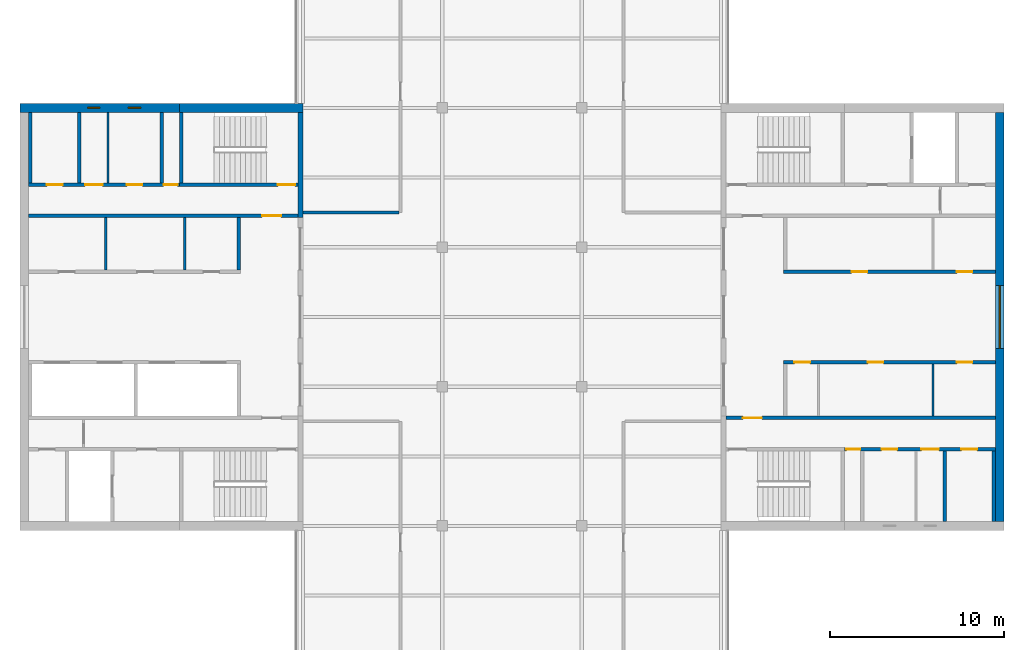
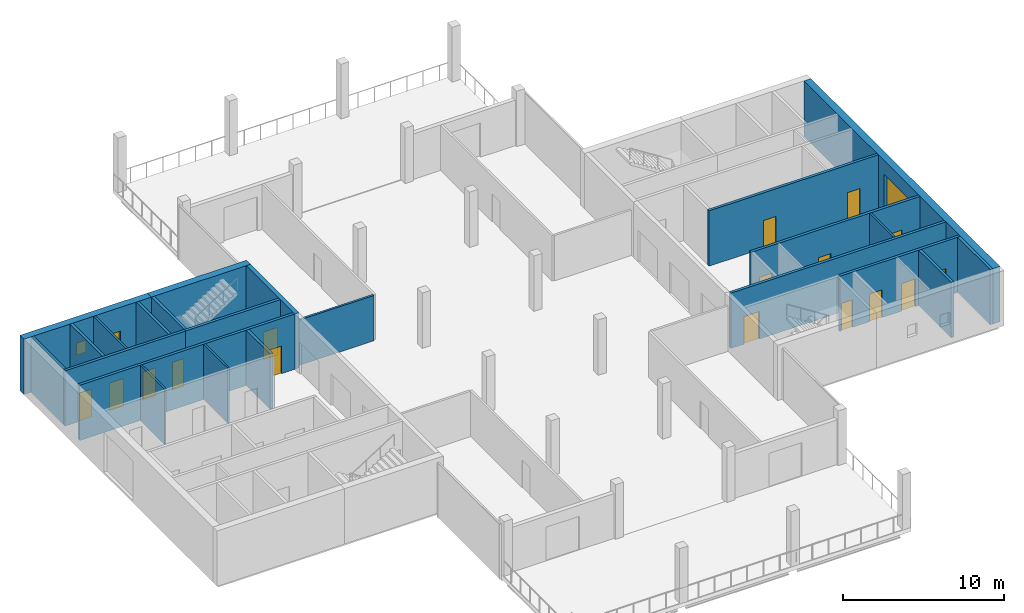
# One storey, part 9 of 12: 23 walls, 16 doors, 3 windows, 19 openings.
"""IFC4 building model written with IfcOpenShell, lengths in metres."""

from ifc_helpers import new_model, si_unit, direction, frame, frame_2d, origin, place, context, subcontext, project, spatial, rectangle, extrude, material, layer, layer_set, constituent, constituent_set, type_object, element, fill, save


model = new_model("IFC4")

# Units and contexts
model_context = context("Model", 3, precision=1e-05, world=origin(), true_north=direction((0.0, 1.0)))
body_context = subcontext(model_context, "Body", "Model", "MODEL_VIEW")
ifc_project = project(units=[si_unit("LENGTHUNIT", "METRE"), si_unit("AREAUNIT", "SQUARE_METRE"), si_unit("VOLUMEUNIT", "CUBIC_METRE"), si_unit("PLANEANGLEUNIT", "RADIAN"), si_unit("MASSUNIT", "GRAM", prefix="KILO")], contexts=[model_context])

# Site, building, storey
site_placement = place(None, origin())
site = spatial("IfcSite", under=ifc_project, at=site_placement, CompositionType="ELEMENT")
building_placement = place(site_placement, origin())
building = spatial("IfcBuilding", under=site, at=building_placement, Name="Crosswind Convention Tower", CompositionType="ELEMENT")
storey_placement = place(building_placement, frame((0.0, 0.0, 332.300048828125)))
storey = spatial("IfcBuildingStorey", under=building, at=storey_placement, Name="L72", CompositionType="ELEMENT", Elevation=332.300048828125)

# Walls
ifc_material_1 = material(Name="Concrete blockwork", Category="masonry")
ifc_layer_1 = layer(ifc_material_1, 0.199951171875)
ifc_layer_set_1 = layer_set([ifc_layer_1], Name="Blockwork partition wall 200")
wall_type_1 = type_object("IfcWallType", Name="Blockwork partition wall 200", PredefinedType="PARTITIONING", material=ifc_layer_set_1)
wall_1_placement = place(storey_placement, frame((104.89990234375, 111.75, 0.0), z_axis=(0.0, 0.0, 1.0), x_axis=(0.0, -1.0, 0.0)))
element("IfcWall", 1, at=wall_1_placement, inside=storey, type_object=wall_type_1, Name="Wall MRSE W L72", PredefinedType="PARTITIONING", context=body_context, shape_type="SweptSolid", body=[
    extrude(rectangle(XDim=4.050048828125, YDim=0.199951171875, at=frame_2d((2.02490234375, 0.0))), origin(), (0.0, 0.0, 1.0), 4.199951171875),
])
ifc_material_2 = material(Name="Concrete C50/60", Category="concrete")
ifc_layer_2 = layer(ifc_material_2, 0.300048828125)
ifc_layer_set_2 = layer_set([ifc_layer_2], Name="Concrete C50/60")
wall_type_2 = type_object("IfcWallType", Name="Concrete inner core wall 300", PredefinedType="SHEAR", material=ifc_layer_set_2)
wall_2_placement = place(storey_placement, frame((112.85009765625, 111.75, 0.0), z_axis=(0.0, 0.0, 1.0), x_axis=(0.0, -1.0, 0.0)))
element("IfcWall", 2, at=wall_2_placement, inside=storey, type_object=wall_type_2, Name="Wall EM W L72", PredefinedType="SHEAR", context=body_context, shape_type="SweptSolid", body=[
    extrude(rectangle(XDim=6.050048828125, YDim=0.300048828125, at=frame_2d((3.02490234375, 0.0))), origin(), (0.0, 0.0, 1.0), 4.199951171875),
])

# Wall, openings, doors
ifc_layer_3 = layer(ifc_material_2, 0.199951171875)
ifc_layer_set_3 = layer_set([ifc_layer_3], Name="Concrete C50/60")
wall_type_3 = type_object("IfcWallType", Name="Concrete shaft and stair wall 200", PredefinedType="SHEAR", material=ifc_layer_set_3)
wall_3_placement = place(storey_placement, frame((140.60009765625, 102.60009765625, 0.0), z_axis=(0.0, 0.0, 1.0), x_axis=(1.0, 0.0, 0.0)))
wall_3 = element("IfcWall", 3, at=wall_3_placement, inside=storey, type_object=wall_type_3, Name="Wall RPFRONT E L72", PredefinedType="SHEAR", context=body_context, shape_type="SweptSolid", body=[
    extrude(rectangle(XDim=12.14990234375, YDim=0.199951171875, at=frame_2d((6.074951171875, 0.0))), origin(), (0.0, 0.0, 1.0), 4.199951171875),
])
opening_1_placement = place(wall_3_placement, frame((3.9013671875, 0.0, 0.0)))
opening_1 = element("IfcOpeningElement", 4, at=opening_1_placement, cuts=wall_3, Name="Opening D106", PredefinedType="OPENING", context=body_context, shape_type="SweptSolid", body=[
    extrude(rectangle(XDim=0.89990234375, YDim=2.10009765625, at=frame_2d((0.449951171875, 1.050048828125))), frame((0.0, 0.10986328125, 0.0), z_axis=(0.0, -1.0, 0.0), x_axis=(1.0, 0.0, 0.0)), (0.0, 0.0, 1.0), 0.219970703125),
])
opening_2_placement = place(wall_3_placement, frame((9.938720703125, 0.0, 0.0)))
opening_2 = element("IfcOpeningElement", 5, at=opening_2_placement, cuts=wall_3, Name="Opening D106", PredefinedType="OPENING", context=body_context, shape_type="SweptSolid", body=[
    extrude(rectangle(XDim=0.89990234375, YDim=2.10009765625, at=frame_2d((0.449951171875, 1.050048828125))), frame((0.0, 0.10986328125, 0.0), z_axis=(0.0, -1.0, 0.0), x_axis=(1.0, 0.0, 0.0)), (0.0, 0.0, 1.0), 0.219970703125),
])
ifc_material_3 = material(Name="Timber door", Category="wood")
door_type_1 = type_object("IfcDoorType", Name="Single leaf door 900x2100", OperationType="NOTDEFINED", PredefinedType="DOOR", material=ifc_material_3)
door_1_placement = place(opening_1_placement, origin())
door_1 = element("IfcDoor", 6, at=door_1_placement, inside=storey, type_object=door_type_1, Name="Door to telecoms room L72", ObjectType="D106", OperationType="SINGLE_SWING_RIGHT", OverallHeight=2.10009765625, OverallWidth=0.89990234375, PredefinedType="DOOR", context=body_context, shape_type="SweptSolid", body=[
    extrude(rectangle(XDim=0.89990234375, YDim=2.10009765625, at=frame_2d((0.449951171875, 1.050048828125))), frame((0.0, 0.02490234375, 0.0), z_axis=(0.0, -1.0, 0.0), x_axis=(1.0, 0.0, 0.0)), (0.0, 0.0, 1.0), 0.050048828125),
])
fill(opening_1, door_1)
door_2_placement = place(opening_2_placement, origin())
door_2 = element("IfcDoor", 7, at=door_2_placement, inside=storey, type_object=door_type_1, Name="Door to storeroom L72", ObjectType="D106", OperationType="SINGLE_SWING_RIGHT", OverallHeight=2.10009765625, OverallWidth=0.89990234375, PredefinedType="DOOR", context=body_context, shape_type="SweptSolid", body=[
    extrude(rectangle(XDim=0.89990234375, YDim=2.10009765625, at=frame_2d((0.449951171875, 1.050048828125))), frame((0.0, 0.02490234375, 0.0), z_axis=(0.0, -1.0, 0.0), x_axis=(1.0, 0.0, 0.0)), (0.0, 0.0, 1.0), 0.050048828125),
])
fill(opening_2, door_2)

wall_4_placement = place(storey_placement, frame((140.60009765625, 97.39990234375, 0.0), z_axis=(0.0, 0.0, 1.0), x_axis=(1.0, 0.0, 0.0)))
wall_4 = element("IfcWall", 8, at=wall_4_placement, inside=storey, type_object=wall_type_3, Name="Wall RMFRONT E L72", PredefinedType="SHEAR", context=body_context, shape_type="SweptSolid", body=[
    extrude(rectangle(XDim=12.14990234375, YDim=0.199951171875, at=frame_2d((6.074951171875, 0.0))), origin(), (0.0, 0.0, 1.0), 4.199951171875),
])
opening_3_placement = place(wall_4_placement, frame((0.614990234375, 0.0, 0.0)))
opening_3 = element("IfcOpeningElement", 9, at=opening_3_placement, cuts=wall_4, Name="Opening D106", PredefinedType="OPENING", context=body_context, shape_type="SweptSolid", body=[
    extrude(rectangle(XDim=0.89990234375, YDim=2.10009765625, at=frame_2d((0.449951171875, 1.050048828125))), frame((0.0, 0.10986328125, 0.0), z_axis=(0.0, -1.0, 0.0), x_axis=(1.0, 0.0, 0.0)), (0.0, 0.0, 1.0), 0.219970703125),
])
opening_4_placement = place(wall_4_placement, frame((4.828857421875, 0.0, 0.0)))
opening_4 = element("IfcOpeningElement", 10, at=opening_4_placement, cuts=wall_4, Name="Opening D106", PredefinedType="OPENING", context=body_context, shape_type="SweptSolid", body=[
    extrude(rectangle(XDim=0.89990234375, YDim=2.10009765625, at=frame_2d((0.449951171875, 1.050048828125))), frame((0.0, 0.10986328125, 0.0), z_axis=(0.0, -1.0, 0.0), x_axis=(1.0, 0.0, 0.0)), (0.0, 0.0, 1.0), 0.219970703125),
])
opening_5_placement = place(wall_4_placement, frame((9.938720703125, 0.0, 0.0)))
opening_5 = element("IfcOpeningElement", 11, at=opening_5_placement, cuts=wall_4, Name="Opening D106", PredefinedType="OPENING", context=body_context, shape_type="SweptSolid", body=[
    extrude(rectangle(XDim=0.89990234375, YDim=2.10009765625, at=frame_2d((0.449951171875, 1.050048828125))), frame((0.0, 0.10986328125, 0.0), z_axis=(0.0, -1.0, 0.0), x_axis=(1.0, 0.0, 0.0)), (0.0, 0.0, 1.0), 0.219970703125),
])
door_3_placement = place(opening_3_placement, frame((0.89990234375, 0.0, 0.0), z_axis=(0.0, 0.0, 1.0), x_axis=(-1.0, 0.0, 0.0)))
door_3 = element("IfcDoor", 12, at=door_3_placement, inside=storey, type_object=door_type_1, Name="Door to storeroom L72", ObjectType="D106", OperationType="SINGLE_SWING_LEFT", OverallHeight=2.10009765625, OverallWidth=0.89990234375, PredefinedType="DOOR", context=body_context, shape_type="SweptSolid", body=[
    extrude(rectangle(XDim=0.89990234375, YDim=2.10009765625, at=frame_2d((0.449951171875, 1.050048828125))), frame((0.0, 0.02490234375, 0.0), z_axis=(0.0, -1.0, 0.0), x_axis=(1.0, 0.0, 0.0)), (0.0, 0.0, 1.0), 0.050048828125),
])
fill(opening_3, door_3)
door_4_placement = place(opening_4_placement, frame((0.89990234375, 0.0, 0.0), z_axis=(0.0, 0.0, 1.0), x_axis=(-1.0, 0.0, 0.0)))
door_4 = element("IfcDoor", 13, at=door_4_placement, inside=storey, type_object=door_type_1, Name="Door to tenant services room L72", ObjectType="D106", OperationType="SINGLE_SWING_LEFT", OverallHeight=2.10009765625, OverallWidth=0.89990234375, PredefinedType="DOOR", context=body_context, shape_type="SweptSolid", body=[
    extrude(rectangle(XDim=0.89990234375, YDim=2.10009765625, at=frame_2d((0.449951171875, 1.050048828125))), frame((0.0, 0.02490234375, 0.0), z_axis=(0.0, -1.0, 0.0), x_axis=(1.0, 0.0, 0.0)), (0.0, 0.0, 1.0), 0.050048828125),
])
fill(opening_4, door_4)
door_5_placement = place(opening_5_placement, frame((0.89990234375, 0.0, 0.0), z_axis=(0.0, 0.0, 1.0), x_axis=(-1.0, 0.0, 0.0)))
door_5 = element("IfcDoor", 14, at=door_5_placement, inside=storey, type_object=door_type_1, Name="Door to copy and print room L72", ObjectType="D106", OperationType="SINGLE_SWING_LEFT", OverallHeight=2.10009765625, OverallWidth=0.89990234375, PredefinedType="DOOR", context=body_context, shape_type="SweptSolid", body=[
    extrude(rectangle(XDim=0.89990234375, YDim=2.10009765625, at=frame_2d((0.449951171875, 1.050048828125))), frame((0.0, 0.02490234375, 0.0), z_axis=(0.0, -1.0, 0.0), x_axis=(1.0, 0.0, 0.0)), (0.0, 0.0, 1.0), 0.050048828125),
])
fill(opening_5, door_5)

# Wall, opening, door
wall_5_placement = place(storey_placement, frame((137.300048828125, 94.199951171875, 0.0), z_axis=(0.0, 0.0, 1.0), x_axis=(1.0, 0.0, 0.0)))
wall_5 = element("IfcWall", 15, at=wall_5_placement, inside=storey, type_object=wall_type_3, Name="Wall HM E L72", PredefinedType="SHEAR", context=body_context, shape_type="SweptSolid", body=[
    extrude(rectangle(XDim=15.449951171875, YDim=0.199951171875, at=frame_2d((7.72509765625, 0.0))), origin(), (0.0, 0.0, 1.0), 4.199951171875),
])
opening_6_placement = place(wall_5_placement, frame((0.949951171875, 0.0, 0.0)))
opening_6 = element("IfcOpeningElement", 16, at=opening_6_placement, cuts=wall_5, Name="Opening D104", PredefinedType="OPENING", context=body_context, shape_type="SweptSolid", body=[
    extrude(rectangle(XDim=1.10009765625, YDim=2.10009765625, at=frame_2d((0.550048828125, 1.050048828125))), frame((0.0, 0.10986328125, 0.0), z_axis=(0.0, -1.0, 0.0), x_axis=(1.0, 0.0, 0.0)), (0.0, 0.0, 1.0), 0.219970703125),
])
ifc_material_4 = material(Name="Steel fire door", Category="steel")
door_type_2 = type_object("IfcDoorType", Name="Fire-rated single door 1100x2100", OperationType="NOTDEFINED", PredefinedType="DOOR", material=ifc_material_4)
door_6_placement = place(opening_6_placement, origin())
door_6 = element("IfcDoor", 17, at=door_6_placement, inside=storey, type_object=door_type_2, Name="Corridor door L72", ObjectType="D104", OperationType="SINGLE_SWING_LEFT", OverallHeight=2.10009765625, OverallWidth=1.10009765625, PredefinedType="DOOR", context=body_context, shape_type="SweptSolid", body=[
    extrude(rectangle(XDim=1.10009765625, YDim=2.10009765625, at=frame_2d((0.550048828125, 1.050048828125))), frame((0.0, 0.02490234375, 0.0), z_axis=(0.0, -1.0, 0.0), x_axis=(1.0, 0.0, 0.0)), (0.0, 0.0, 1.0), 0.050048828125),
])
fill(opening_6, door_6)

# Walls
for number, where, z_axis, x_axis, name in (
    (18, (149.85009765625, 88.25, 0.0), (0.0, 0.0, 1.0), (0.0, 1.0, 0.0), "Wall MFSW E L72"),
    (19, (152.64990234375, 88.25, 0.0), (0.0, 0.0, 1.0), (0.0, 1.0, 0.0), "Wall MFSE E L72"),
):
    element("IfcWall", number, at=place(storey_placement, frame(where, z_axis=z_axis, x_axis=x_axis)), inside=storey, type_object=wall_type_3, Name=name, PredefinedType="SHEAR", context=body_context, shape_type="SweptSolid", body=[
        extrude(rectangle(XDim=4.050048828125, YDim=0.199951171875, at=frame_2d((2.02490234375, 0.0))), origin(), (0.0, 0.0, 1.0), 4.199951171875),
    ])

# Wall, openings, doors
wall_6_placement = place(storey_placement, frame((144.10009765625, 92.39990234375, 0.0), z_axis=(0.0, 0.0, 1.0), x_axis=(1.0, 0.0, 0.0)))
wall_6 = element("IfcWall", 20, at=wall_6_placement, inside=storey, type_object=wall_type_3, Name="Wall MCX E L72", PredefinedType="SHEAR", context=body_context, shape_type="SweptSolid", body=[
    extrude(rectangle(XDim=8.64990234375, YDim=0.199951171875, at=frame_2d((4.324951171875, 0.0))), origin(), (0.0, 0.0, 1.0), 4.199951171875),
])
opening_7_placement = place(wall_6_placement, frame((0.10009765625, 0.0, 0.0)))
opening_7 = element("IfcOpeningElement", 21, at=opening_7_placement, cuts=wall_6, Name="Opening D105", PredefinedType="OPENING", context=body_context, shape_type="SweptSolid", body=[
    extrude(rectangle(XDim=0.800048828125, YDim=2.10009765625, at=frame_2d((0.39990234375, 1.050048828125))), frame((0.0, 0.10986328125, 0.0), z_axis=(0.0, -1.0, 0.0), x_axis=(1.0, 0.0, 0.0)), (0.0, 0.0, 1.0), 0.219970703125),
])
opening_8_placement = place(wall_6_placement, frame((2.120361328125, 0.0, 0.0)))
opening_8 = element("IfcOpeningElement", 22, at=opening_8_placement, cuts=wall_6, Name="Opening D106", PredefinedType="OPENING", context=body_context, shape_type="SweptSolid", body=[
    extrude(rectangle(XDim=0.89990234375, YDim=2.10009765625, at=frame_2d((0.449951171875, 1.050048828125))), frame((0.0, 0.10986328125, 0.0), z_axis=(0.0, -1.0, 0.0), x_axis=(1.0, 0.0, 0.0)), (0.0, 0.0, 1.0), 0.219970703125),
])
opening_9_placement = place(wall_6_placement, frame((4.40771484375, 0.0, 0.0)))
opening_9 = element("IfcOpeningElement", 23, at=opening_9_placement, cuts=wall_6, Name="Opening D103", PredefinedType="OPENING", context=body_context, shape_type="SweptSolid", body=[
    extrude(rectangle(XDim=1.0, YDim=2.10009765625, at=frame_2d((0.5, 1.050048828125))), frame((0.0, 0.10986328125, 0.0), z_axis=(0.0, -1.0, 0.0), x_axis=(1.0, 0.0, 0.0)), (0.0, 0.0, 1.0), 0.219970703125),
])
opening_10_placement = place(wall_6_placement, frame((6.699951171875, 0.0, 0.0)))
opening_10 = element("IfcOpeningElement", 24, at=opening_10_placement, cuts=wall_6, Name="Opening D106", PredefinedType="OPENING", context=body_context, shape_type="SweptSolid", body=[
    extrude(rectangle(XDim=0.89990234375, YDim=2.10009765625, at=frame_2d((0.449951171875, 1.050048828125))), frame((0.0, 0.10986328125, 0.0), z_axis=(0.0, -1.0, 0.0), x_axis=(1.0, 0.0, 0.0)), (0.0, 0.0, 1.0), 0.219970703125),
])
door_type_3 = type_object("IfcDoorType", Name="Fire-rated single door 1000x2100", OperationType="NOTDEFINED", PredefinedType="DOOR", material=ifc_material_4)
door_7_placement = place(opening_9_placement, frame((1.0, 0.0, 0.0), z_axis=(0.0, 0.0, 1.0), x_axis=(-1.0, 0.0, 0.0)))
door_7 = element("IfcDoor", 25, at=door_7_placement, inside=storey, type_object=door_type_3, Name="Door to accessible wc L72", ObjectType="D103", OperationType="SINGLE_SWING_LEFT", OverallHeight=2.10009765625, OverallWidth=1.0, PredefinedType="DOOR", context=body_context, shape_type="SweptSolid", body=[
    extrude(rectangle(XDim=1.0, YDim=2.10009765625, at=frame_2d((0.5, 1.050048828125))), frame((0.0, 0.02490234375, 0.0), z_axis=(0.0, -1.0, 0.0), x_axis=(1.0, 0.0, 0.0)), (0.0, 0.0, 1.0), 0.050048828125),
])
fill(opening_9, door_7)
door_type_4 = type_object("IfcDoorType", Name="Riser access door 800x2100", OperationType="NOTDEFINED", PredefinedType="DOOR", material=ifc_material_4)
door_8_placement = place(opening_7_placement, frame((0.800048828125, 0.0, 0.0), z_axis=(0.0, 0.0, 1.0), x_axis=(-1.0, 0.0, 0.0)))
door_8 = element("IfcDoor", 26, at=door_8_placement, inside=storey, type_object=door_type_4, Name="Riser door L72", ObjectType="D105", OperationType="SINGLE_SWING_LEFT", OverallHeight=2.10009765625, OverallWidth=0.800048828125, PredefinedType="DOOR", context=body_context, shape_type="SweptSolid", body=[
    extrude(rectangle(XDim=0.800048828125, YDim=2.10009765625, at=frame_2d((0.39990234375, 1.050048828125))), frame((0.0, 0.02490234375, 0.0), z_axis=(0.0, -1.0, 0.0), x_axis=(1.0, 0.0, 0.0)), (0.0, 0.0, 1.0), 0.050048828125),
])
fill(opening_7, door_8)
door_9_placement = place(opening_8_placement, frame((0.89990234375, 0.0, 0.0), z_axis=(0.0, 0.0, 1.0), x_axis=(-1.0, 0.0, 0.0)))
door_9 = element("IfcDoor", 27, at=door_9_placement, inside=storey, type_object=door_type_1, Name="Door to wc L72", ObjectType="D106", OperationType="SINGLE_SWING_LEFT", OverallHeight=2.10009765625, OverallWidth=0.89990234375, PredefinedType="DOOR", context=body_context, shape_type="SweptSolid", body=[
    extrude(rectangle(XDim=0.89990234375, YDim=2.10009765625, at=frame_2d((0.449951171875, 1.050048828125))), frame((0.0, 0.02490234375, 0.0), z_axis=(0.0, -1.0, 0.0), x_axis=(1.0, 0.0, 0.0)), (0.0, 0.0, 1.0), 0.050048828125),
])
fill(opening_8, door_9)
door_10_placement = place(opening_10_placement, frame((0.89990234375, 0.0, 0.0), z_axis=(0.0, 0.0, 1.0), x_axis=(-1.0, 0.0, 0.0)))
door_10 = element("IfcDoor", 28, at=door_10_placement, inside=storey, type_object=door_type_1, Name="Door to accessible wc L72", ObjectType="D106", OperationType="SINGLE_SWING_LEFT", OverallHeight=2.10009765625, OverallWidth=0.89990234375, PredefinedType="DOOR", context=body_context, shape_type="SweptSolid", body=[
    extrude(rectangle(XDim=0.89990234375, YDim=2.10009765625, at=frame_2d((0.449951171875, 1.050048828125))), frame((0.0, 0.02490234375, 0.0), z_axis=(0.0, -1.0, 0.0), x_axis=(1.0, 0.0, 0.0)), (0.0, 0.0, 1.0), 0.050048828125),
])
fill(opening_10, door_10)

# Wall
wall_7_placement = place(storey_placement, frame((109.300048828125, 105.699951171875, 0.0), z_axis=(0.0, 0.0, 1.0), x_axis=(0.0, -1.0, 0.0)))
element("IfcWall", 29, at=wall_7_placement, inside=storey, type_object=wall_type_3, Name="Wall RMEND W L72", PredefinedType="SHEAR", context=body_context, shape_type="SweptSolid", body=[
    extrude(rectangle(XDim=3.0, YDim=0.199951171875, at=frame_2d((1.5, 0.0))), origin(), (0.0, 0.0, 1.0), 4.199951171875),
])

# Wall, opening, door
wall_8_placement = place(storey_placement, frame((112.699951171875, 105.800048828125, 0.0), z_axis=(0.0, 0.0, 1.0), x_axis=(-1.0, 0.0, 0.0)))
wall_8 = element("IfcWall", 30, at=wall_8_placement, inside=storey, type_object=wall_type_3, Name="Wall HM W L72", PredefinedType="SHEAR", context=body_context, shape_type="SweptSolid", body=[
    extrude(rectangle(XDim=15.449951171875, YDim=0.199951171875, at=frame_2d((7.72509765625, 0.0))), origin(), (0.0, 0.0, 1.0), 4.199951171875),
])
opening_11_placement = place(wall_8_placement, frame((0.949951171875, 0.0, 0.0)))
opening_11 = element("IfcOpeningElement", 31, at=opening_11_placement, cuts=wall_8, Name="Opening D104", PredefinedType="OPENING", context=body_context, shape_type="SweptSolid", body=[
    extrude(rectangle(XDim=1.10009765625, YDim=2.10009765625, at=frame_2d((0.550048828125, 1.050048828125))), frame((0.0, 0.10986328125, 0.0), z_axis=(0.0, -1.0, 0.0), x_axis=(1.0, 0.0, 0.0)), (0.0, 0.0, 1.0), 0.219970703125),
])
door_11_placement = place(opening_11_placement, origin())
door_11 = element("IfcDoor", 32, at=door_11_placement, inside=storey, type_object=door_type_2, Name="Corridor door L72", ObjectType="D104", OperationType="SINGLE_SWING_LEFT", OverallHeight=2.10009765625, OverallWidth=1.10009765625, PredefinedType="DOOR", context=body_context, shape_type="SweptSolid", body=[
    extrude(rectangle(XDim=1.10009765625, YDim=2.10009765625, at=frame_2d((0.550048828125, 1.050048828125))), frame((0.0, 0.02490234375, 0.0), z_axis=(0.0, -1.0, 0.0), x_axis=(1.0, 0.0, 0.0)), (0.0, 0.0, 1.0), 0.050048828125),
])
fill(opening_11, door_11)

# Walls
for number, where, z_axis, x_axis, name in (
    (33, (106.0, 111.75, 0.0), (0.0, 0.0, 1.0), (0.0, -1.0, 0.0), "Wall MSE W L72"),
    (34, (100.14990234375, 111.75, 0.0), (0.0, 0.0, 1.0), (0.0, -1.0, 0.0), "Wall MFSW W L72"),
    (35, (97.35009765625, 111.75, 0.0), (0.0, 0.0, 1.0), (0.0, -1.0, 0.0), "Wall MFSE W L72"),
):
    element("IfcWall", number, at=place(storey_placement, frame(where, z_axis=z_axis, x_axis=x_axis)), inside=storey, type_object=wall_type_3, Name=name, PredefinedType="SHEAR", context=body_context, shape_type="SweptSolid", body=[
        extrude(rectangle(XDim=4.050048828125, YDim=0.199951171875, at=frame_2d((2.02490234375, 0.0))), origin(), (0.0, 0.0, 1.0), 4.199951171875),
    ])

# Wall, opening, door
wall_9_placement = place(storey_placement, frame((112.699951171875, 107.60009765625, 0.0), z_axis=(0.0, 0.0, 1.0), x_axis=(-1.0, 0.0, 0.0)))
wall_9 = element("IfcWall", 36, at=wall_9_placement, inside=storey, type_object=wall_type_3, Name="Wall MCW W L72", PredefinedType="SHEAR", context=body_context, shape_type="SweptSolid", body=[
    extrude(rectangle(XDim=6.800048828125, YDim=0.199951171875, at=frame_2d((3.39990234375, 0.0))), origin(), (0.0, 0.0, 1.0), 4.199951171875),
])
opening_12_placement = place(wall_9_placement, frame((0.14990234375, 0.0, 0.0)))
opening_12 = element("IfcOpeningElement", 37, at=opening_12_placement, cuts=wall_9, Name="Opening D103", PredefinedType="OPENING", context=body_context, shape_type="SweptSolid", body=[
    extrude(rectangle(XDim=1.0, YDim=2.10009765625, at=frame_2d((0.5, 1.050048828125))), frame((0.0, 0.10986328125, 0.0), z_axis=(0.0, -1.0, 0.0), x_axis=(1.0, 0.0, 0.0)), (0.0, 0.0, 1.0), 0.219970703125),
])
door_12_placement = place(opening_12_placement, frame((1.0, 0.0, 0.0), z_axis=(0.0, 0.0, 1.0), x_axis=(-1.0, 0.0, 0.0)))
door_12 = element("IfcDoor", 38, at=door_12_placement, inside=storey, type_object=door_type_3, Name="Stair ST4 door L72", ObjectType="D103", OperationType="SINGLE_SWING_RIGHT", OverallHeight=2.10009765625, OverallWidth=1.0, PredefinedType="DOOR", context=body_context, shape_type="SweptSolid", body=[
    extrude(rectangle(XDim=1.0, YDim=2.10009765625, at=frame_2d((0.5, 1.050048828125))), frame((0.0, 0.02490234375, 0.0), z_axis=(0.0, -1.0, 0.0), x_axis=(1.0, 0.0, 0.0)), (0.0, 0.0, 1.0), 0.050048828125),
])
fill(opening_12, door_12)

# Wall, openings, doors
wall_10_placement = place(storey_placement, frame((105.89990234375, 107.60009765625, 0.0), z_axis=(0.0, 0.0, 1.0), x_axis=(-1.0, 0.0, 0.0)))
wall_10 = element("IfcWall", 39, at=wall_10_placement, inside=storey, type_object=wall_type_3, Name="Wall MCX W L72", PredefinedType="SHEAR", context=body_context, shape_type="SweptSolid", body=[
    extrude(rectangle(XDim=8.64990234375, YDim=0.199951171875, at=frame_2d((4.324951171875, 0.0))), origin(), (0.0, 0.0, 1.0), 4.199951171875),
])
opening_13_placement = place(wall_10_placement, frame((0.10009765625, 0.0, 0.0)))
opening_13 = element("IfcOpeningElement", 40, at=opening_13_placement, cuts=wall_10, Name="Opening D105", PredefinedType="OPENING", context=body_context, shape_type="SweptSolid", body=[
    extrude(rectangle(XDim=0.800048828125, YDim=2.10009765625, at=frame_2d((0.39990234375, 1.050048828125))), frame((0.0, 0.10986328125, 0.0), z_axis=(0.0, -1.0, 0.0), x_axis=(1.0, 0.0, 0.0)), (0.0, 0.0, 1.0), 0.219970703125),
])
opening_14_placement = place(wall_10_placement, frame((2.120361328125, 0.0, 0.0)))
opening_14 = element("IfcOpeningElement", 41, at=opening_14_placement, cuts=wall_10, Name="Opening D106", PredefinedType="OPENING", context=body_context, shape_type="SweptSolid", body=[
    extrude(rectangle(XDim=0.89990234375, YDim=2.10009765625, at=frame_2d((0.449951171875, 1.050048828125))), frame((0.0, 0.10986328125, 0.0), z_axis=(0.0, -1.0, 0.0), x_axis=(1.0, 0.0, 0.0)), (0.0, 0.0, 1.0), 0.219970703125),
])
opening_15_placement = place(wall_10_placement, frame((4.40771484375, 0.0, 0.0)))
opening_15 = element("IfcOpeningElement", 42, at=opening_15_placement, cuts=wall_10, Name="Opening D103", PredefinedType="OPENING", context=body_context, shape_type="SweptSolid", body=[
    extrude(rectangle(XDim=1.0, YDim=2.10009765625, at=frame_2d((0.5, 1.050048828125))), frame((0.0, 0.10986328125, 0.0), z_axis=(0.0, -1.0, 0.0), x_axis=(1.0, 0.0, 0.0)), (0.0, 0.0, 1.0), 0.219970703125),
])
opening_16_placement = place(wall_10_placement, frame((6.699951171875, 0.0, 0.0)))
opening_16 = element("IfcOpeningElement", 43, at=opening_16_placement, cuts=wall_10, Name="Opening D106", PredefinedType="OPENING", context=body_context, shape_type="SweptSolid", body=[
    extrude(rectangle(XDim=0.89990234375, YDim=2.10009765625, at=frame_2d((0.449951171875, 1.050048828125))), frame((0.0, 0.10986328125, 0.0), z_axis=(0.0, -1.0, 0.0), x_axis=(1.0, 0.0, 0.0)), (0.0, 0.0, 1.0), 0.219970703125),
])
door_13_placement = place(opening_15_placement, frame((1.0, 0.0, 0.0), z_axis=(0.0, 0.0, 1.0), x_axis=(-1.0, 0.0, 0.0)))
door_13 = element("IfcDoor", 44, at=door_13_placement, inside=storey, type_object=door_type_3, Name="Door to accessible wc L72", ObjectType="D103", OperationType="SINGLE_SWING_LEFT", OverallHeight=2.10009765625, OverallWidth=1.0, PredefinedType="DOOR", context=body_context, shape_type="SweptSolid", body=[
    extrude(rectangle(XDim=1.0, YDim=2.10009765625, at=frame_2d((0.5, 1.050048828125))), frame((0.0, 0.02490234375, 0.0), z_axis=(0.0, -1.0, 0.0), x_axis=(1.0, 0.0, 0.0)), (0.0, 0.0, 1.0), 0.050048828125),
])
fill(opening_15, door_13)
door_14_placement = place(opening_13_placement, frame((0.800048828125, 0.0, 0.0), z_axis=(0.0, 0.0, 1.0), x_axis=(-1.0, 0.0, 0.0)))
door_14 = element("IfcDoor", 45, at=door_14_placement, inside=storey, type_object=door_type_4, Name="Riser door L72", ObjectType="D105", OperationType="SINGLE_SWING_LEFT", OverallHeight=2.10009765625, OverallWidth=0.800048828125, PredefinedType="DOOR", context=body_context, shape_type="SweptSolid", body=[
    extrude(rectangle(XDim=0.800048828125, YDim=2.10009765625, at=frame_2d((0.39990234375, 1.050048828125))), frame((0.0, 0.02490234375, 0.0), z_axis=(0.0, -1.0, 0.0), x_axis=(1.0, 0.0, 0.0)), (0.0, 0.0, 1.0), 0.050048828125),
])
fill(opening_13, door_14)
door_15_placement = place(opening_14_placement, frame((0.89990234375, 0.0, 0.0), z_axis=(0.0, 0.0, 1.0), x_axis=(-1.0, 0.0, 0.0)))
door_15 = element("IfcDoor", 46, at=door_15_placement, inside=storey, type_object=door_type_1, Name="Door to wc L72", ObjectType="D106", OperationType="SINGLE_SWING_LEFT", OverallHeight=2.10009765625, OverallWidth=0.89990234375, PredefinedType="DOOR", context=body_context, shape_type="SweptSolid", body=[
    extrude(rectangle(XDim=0.89990234375, YDim=2.10009765625, at=frame_2d((0.449951171875, 1.050048828125))), frame((0.0, 0.02490234375, 0.0), z_axis=(0.0, -1.0, 0.0), x_axis=(1.0, 0.0, 0.0)), (0.0, 0.0, 1.0), 0.050048828125),
])
fill(opening_14, door_15)
door_16_placement = place(opening_16_placement, frame((0.89990234375, 0.0, 0.0), z_axis=(0.0, 0.0, 1.0), x_axis=(-1.0, 0.0, 0.0)))
door_16 = element("IfcDoor", 47, at=door_16_placement, inside=storey, type_object=door_type_1, Name="Door to accessible wc L72", ObjectType="D106", OperationType="SINGLE_SWING_LEFT", OverallHeight=2.10009765625, OverallWidth=0.89990234375, PredefinedType="DOOR", context=body_context, shape_type="SweptSolid", body=[
    extrude(rectangle(XDim=0.89990234375, YDim=2.10009765625, at=frame_2d((0.449951171875, 1.050048828125))), frame((0.0, 0.02490234375, 0.0), z_axis=(0.0, -1.0, 0.0), x_axis=(1.0, 0.0, 0.0)), (0.0, 0.0, 1.0), 0.050048828125),
])
fill(opening_16, door_16)

# Walls
ifc_material_5 = material(Name="Gypsum plasterboard partition", Category="gypsum")
ifc_layer_4 = layer(ifc_material_5, 0.125)
ifc_layer_set_4 = layer_set([ifc_layer_4], Name="Drywall partition wall 125")
wall_type_4 = type_object("IfcWallType", Name="Drywall partition wall 125", PredefinedType="PARTITIONING", material=ifc_layer_set_4)
for number, where, z_axis, x_axis, name in (
    (48, (149.1650390625, 94.300048828125, 0.0), (0.0, 0.0, 1.0), (0.0, 1.0, 0.0), "Wall RMP2 E L72"),
    (49, (106.21240234375, 105.699951171875, 0.0), (0.0, 0.0, 1.0), (0.0, -1.0, 0.0), "Wall RMP1 W L72"),
    (50, (101.67138671875, 105.699951171875, 0.0), (0.0, 0.0, 1.0), (0.0, -1.0, 0.0), "Wall RMP2 W L72"),
):
    element("IfcWall", number, at=place(storey_placement, frame(where, z_axis=z_axis, x_axis=x_axis)), inside=storey, type_object=wall_type_4, Name=name, PredefinedType="PARTITIONING", context=body_context, shape_type="SweptSolid", body=[
        extrude(rectangle(XDim=3.0, YDim=0.125, at=frame_2d((1.5, 0.0))), origin(), (0.0, 0.0, 1.0), 4.199951171875),
    ])
wall_11_placement = place(storey_placement, frame((101.797119140625, 111.75, 0.0), z_axis=(0.0, 0.0, 1.0), x_axis=(0.0, -1.0, 0.0)))
element("IfcWall", 51, at=wall_11_placement, inside=storey, type_object=wall_type_4, Name="Wall MWP1 W L72", PredefinedType="PARTITIONING", context=body_context, shape_type="SweptSolid", body=[
    extrude(rectangle(XDim=4.050048828125, YDim=0.125, at=frame_2d((2.02490234375, 0.0))), origin(), (0.0, 0.0, 1.0), 4.199951171875),
])
ifc_material_6 = material(Name="Fire-board partition with mineral wool", Category="gypsum")
ifc_layer_5 = layer(ifc_material_6, 0.14990234375)
ifc_layer_set_5 = layer_set([ifc_layer_5], Name="TENANCY WALL 150 TWO-HOUR BOARD")
wall_type_5 = type_object("IfcWallType", Name="TENANCY WALL 150 TWO-HOUR BOARD", PredefinedType="PARTITIONING", material=ifc_layer_set_5)
wall_12_placement = place(storey_placement, frame((113.0, 106.0, 0.0), z_axis=(0.0, 0.0, 1.0), x_axis=(1.0, 0.0, 0.0)))
element("IfcWall", 52, at=wall_12_placement, inside=storey, type_object=wall_type_5, Name="Tenancy wall WT41", PredefinedType="PARTITIONING", context=body_context, shape_type="SweptSolid", body=[
    extrude(rectangle(XDim=5.52490234375, YDim=0.14990234375, at=frame_2d((2.762451171875, 0.0))), origin(), (0.0, 0.0, 1.0), 3.44287109375),
])

# Wall, opening, window
ifc_material_7 = material(Name="Concrete C60/75", Category="concrete")
ifc_constituent_1 = constituent(ifc_material_7, Name="Structure")
ifc_material_8 = material(Name="Terracotta rainscreen", Category="ceramic")
ifc_constituent_2 = constituent(ifc_material_8, Name="Facing")
ifc_constituent_set = constituent_set(constituents=[ifc_constituent_1, ifc_constituent_2], Name="Concrete C60/75, Terracotta rainscreen")
wall_type_6 = type_object("IfcWallType", Name="Terracotta rainscreen on concrete core wall 500", PredefinedType="SHEAR", material=ifc_constituent_set)
wall_13_placement = place(storey_placement, frame((153.0, 88.25, 0.0), z_axis=(0.0, 0.0, 1.0), x_axis=(0.0, 1.0, 0.0)))
wall_13 = element("IfcWall", 53, at=wall_13_placement, inside=storey, type_object=wall_type_6, Name="Wall O E L72", PredefinedType="SHEAR", context=body_context, shape_type="SweptSolid", body=[
    extrude(rectangle(XDim=23.5, YDim=0.5, at=frame_2d((11.75, 0.0))), origin(), (0.0, 0.0, 1.0), 4.199951171875),
])
opening_17_placement = place(wall_13_placement, frame((9.949951171875, 0.0, 0.14990234375)))
opening_17 = element("IfcOpeningElement", 54, at=opening_17_placement, cuts=wall_13, Name="Opening W1", PredefinedType="OPENING", context=body_context, shape_type="SweptSolid", body=[
    extrude(rectangle(XDim=3.60009765625, YDim=3.0, at=frame_2d((1.800048828125, 1.5))), frame((0.0, 0.260009765625, 0.0), z_axis=(0.0, -1.0, 0.0), x_axis=(1.0, 0.0, 0.0)), (0.0, 0.0, 1.0), 0.52001953125),
])
ifc_material_9 = material(Name="Clear laminated glass in aluminium frame", Category="aluminium")
window_type_1 = type_object("IfcWindowType", Name="Lobby end window 3600x3000", PartitioningType="SINGLE_PANEL", PredefinedType="WINDOW", material=ifc_material_9)
window_1_placement = place(opening_17_placement, origin())
window_1 = element("IfcWindow", 55, at=window_1_placement, inside=storey, type_object=window_type_1, Name="Lobby end window L72", ObjectType="W1", OverallHeight=3.0, OverallWidth=3.60009765625, PartitioningType="SINGLE_PANEL", PredefinedType="WINDOW", context=body_context, shape_type="SweptSolid", body=[
    extrude(rectangle(XDim=3.60009765625, YDim=3.0, at=frame_2d((1.800048828125, 1.5))), frame((0.0, 0.030029296875, 0.0), z_axis=(0.0, -1.0, 0.0), x_axis=(1.0, 0.0, 0.0)), (0.0, 0.0, 1.0), 0.06005859375),
])
fill(opening_17, window_1)

# Wall
wall_14_placement = place(storey_placement, frame((113.0, 112.0, 0.0), z_axis=(0.0, 0.0, 1.0), x_axis=(-1.0, 0.0, 0.0)))
element("IfcWall", 56, at=wall_14_placement, inside=storey, type_object=wall_type_6, Name="Wall S1 W L72", PredefinedType="SHEAR", context=body_context, shape_type="SweptSolid", body=[
    extrude(rectangle(XDim=7.10009765625, YDim=0.5, at=frame_2d((3.550048828125, 0.0))), origin(), (0.0, 0.0, 1.0), 4.199951171875),
])

# Wall, openings, windows
wall_15_placement = place(storey_placement, frame((105.89990234375, 112.0, 0.0), z_axis=(0.0, 0.0, 1.0), x_axis=(-1.0, 0.0, 0.0)))
wall_15 = element("IfcWall", 57, at=wall_15_placement, inside=storey, type_object=wall_type_6, Name="Wall S2 W L72", PredefinedType="SHEAR", context=body_context, shape_type="SweptSolid", body=[
    extrude(rectangle(XDim=9.14990234375, YDim=0.5, at=frame_2d((4.574951171875, 0.0))), origin(), (0.0, 0.0, 1.0), 4.199951171875),
])
opening_18_placement = place(wall_15_placement, frame((2.22021484375, 0.0, 1.5)))
opening_18 = element("IfcOpeningElement", 58, at=opening_18_placement, cuts=wall_15, Name="Opening W2", PredefinedType="OPENING", context=body_context, shape_type="SweptSolid", body=[
    extrude(rectangle(XDim=0.699951171875, YDim=0.89990234375, at=frame_2d((0.35009765625, 0.449951171875))), frame((0.0, 0.260009765625, 0.0), z_axis=(0.0, -1.0, 0.0), x_axis=(1.0, 0.0, 0.0)), (0.0, 0.0, 1.0), 0.52001953125),
])
opening_19_placement = place(wall_15_placement, frame((4.557861328125, 0.0, 1.5)))
opening_19 = element("IfcOpeningElement", 59, at=opening_19_placement, cuts=wall_15, Name="Opening W2", PredefinedType="OPENING", context=body_context, shape_type="SweptSolid", body=[
    extrude(rectangle(XDim=0.699951171875, YDim=0.89990234375, at=frame_2d((0.35009765625, 0.449951171875))), frame((0.0, 0.260009765625, 0.0), z_axis=(0.0, -1.0, 0.0), x_axis=(1.0, 0.0, 0.0)), (0.0, 0.0, 1.0), 0.52001953125),
])
ifc_material_10 = material(Name="Obscure glass in aluminium frame", Category="aluminium")
window_type_2 = type_object("IfcWindowType", Name="WC window 700x900", PartitioningType="SINGLE_PANEL", PredefinedType="WINDOW", material=ifc_material_10)
window_2_placement = place(opening_18_placement, origin())
window_2 = element("IfcWindow", 60, at=window_2_placement, inside=storey, type_object=window_type_2, Name="WC window L72", ObjectType="W2", OverallHeight=0.89990234375, OverallWidth=0.699951171875, PartitioningType="SINGLE_PANEL", PredefinedType="WINDOW", context=body_context, shape_type="SweptSolid", body=[
    extrude(rectangle(XDim=0.699951171875, YDim=0.89990234375, at=frame_2d((0.35009765625, 0.449951171875))), frame((0.0, 0.030029296875, 0.0), z_axis=(0.0, -1.0, 0.0), x_axis=(1.0, 0.0, 0.0)), (0.0, 0.0, 1.0), 0.06005859375),
])
fill(opening_18, window_2)
window_3_placement = place(opening_19_placement, origin())
window_3 = element("IfcWindow", 61, at=window_3_placement, inside=storey, type_object=window_type_2, Name="WC window L72", ObjectType="W2", OverallHeight=0.89990234375, OverallWidth=0.699951171875, PartitioningType="SINGLE_PANEL", PredefinedType="WINDOW", context=body_context, shape_type="SweptSolid", body=[
    extrude(rectangle(XDim=0.699951171875, YDim=0.89990234375, at=frame_2d((0.35009765625, 0.449951171875))), frame((0.0, 0.030029296875, 0.0), z_axis=(0.0, -1.0, 0.0), x_axis=(1.0, 0.0, 0.0)), (0.0, 0.0, 1.0), 0.06005859375),
])
fill(opening_19, window_3)

save(model, "model.ifc")
